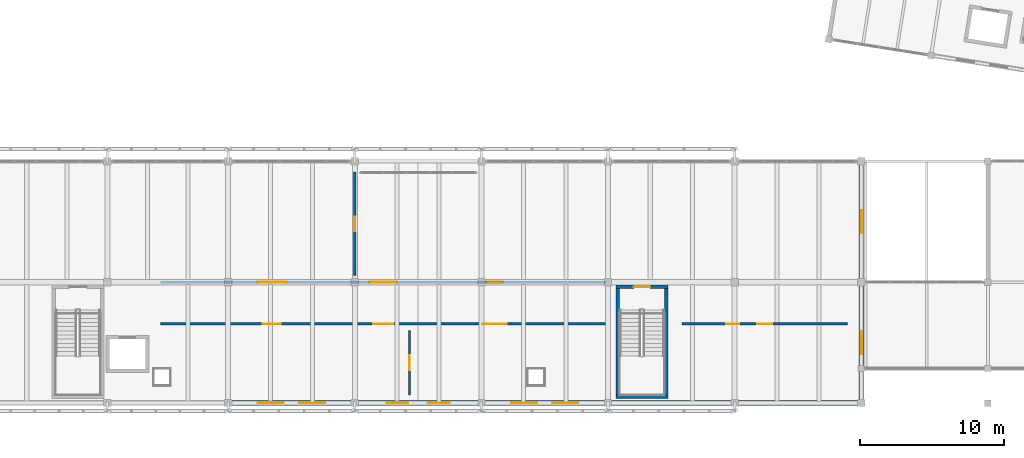
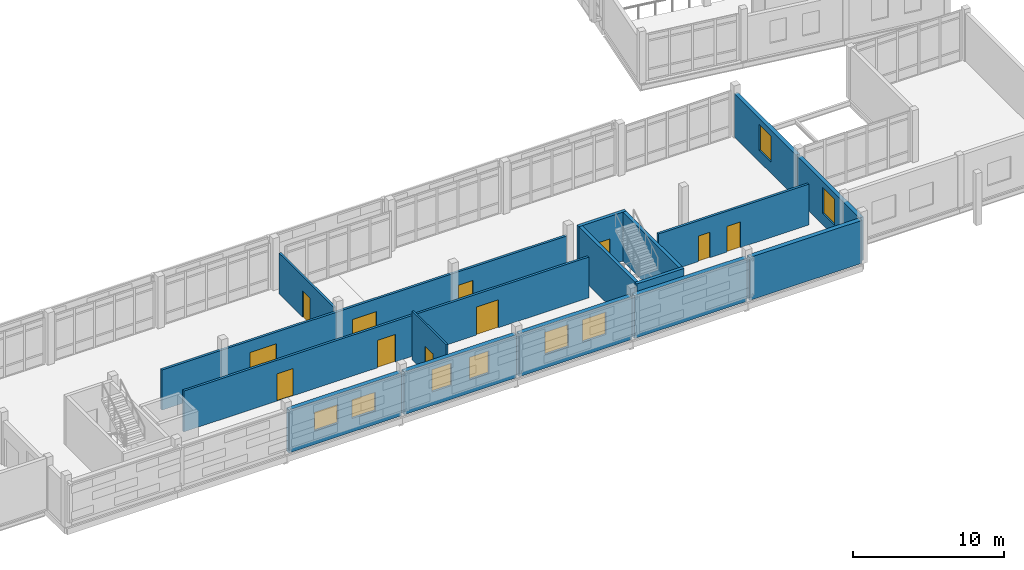
# One storey, part 107 of 137: 16 walls, 11 doors, 8 windows, 19 openings.
"""IFC4 building model written with IfcOpenShell, lengths in metres."""

from ifc_helpers import new_model, si_unit, direction, frame, frame_2d, origin, place, context, subcontext, project, spatial, rectangle, extrude, material, layer, layer_set, type_object, element, fill, save


model = new_model("IFC4")

# Units and contexts
model_context = context("Model", 3, precision=1e-05, world=origin(), true_north=direction((0.0, 1.0)))
body_context = subcontext(model_context, "Body", "Model", "MODEL_VIEW")
ifc_project = project(units=[si_unit("LENGTHUNIT", "METRE"), si_unit("AREAUNIT", "SQUARE_METRE"), si_unit("VOLUMEUNIT", "CUBIC_METRE"), si_unit("PLANEANGLEUNIT", "RADIAN"), si_unit("MASSUNIT", "GRAM", prefix="KILO")], contexts=[model_context])

# Site, building, storey
site_placement = place(None, origin())
site = spatial("IfcSite", under=ifc_project, at=site_placement, CompositionType="ELEMENT")
building_placement = place(site_placement, origin())
building = spatial("IfcBuilding", under=site, at=building_placement, Name="Cinderway Yard Community Centre", CompositionType="ELEMENT")
storey_placement = place(building_placement, frame((0.0, 0.0, 4.800048828125)))
storey = spatial("IfcBuildingStorey", under=building, at=storey_placement, Name="L01", CompositionType="ELEMENT", Elevation=4.800048828125)

# Wall, opening, window
ifc_material_1 = material(Name="Brick Masonry", Category="masonry")
ifc_layer_1 = layer(ifc_material_1, 0.300048828125, Name="Brick Masonry")
ifc_layer_set_1 = layer_set([ifc_layer_1], Name="Brick Masonry")
wall_type_1 = type_object("IfcWallType", Name="ENV-WAL-EXT300", PredefinedType="SOLIDWALL", material=ifc_layer_set_1)
wall_1_placement = place(storey_placement, frame((119.199951171875, 6.10009765625, 0.0), z_axis=(0.0, 0.0, 1.0), x_axis=(0.0, 1.0, 0.0)))
wall_1 = element("IfcWall", 1, at=wall_1_placement, inside=storey, type_object=wall_type_1, Name="V3 East End Wall ENV-WAL-L01-0115", PredefinedType="SOLIDWALL", context=body_context, shape_type="SweptSolid", body=[
    extrude(rectangle(XDim=8.199951171875, YDim=0.300048828125, at=frame_2d((4.10009765625, 0.0))), origin(), (0.0, 0.0, 1.0), 3.494873046875),
])
opening_1_placement = place(wall_1_placement, frame((3.300048828125, 0.0, 0.89990234375)))
opening_1 = element("IfcOpeningElement", 2, at=opening_1_placement, cuts=wall_1, Name="Opening W-14", PredefinedType="OPENING", context=body_context, shape_type="SweptSolid", body=[
    extrude(rectangle(XDim=1.60009765625, YDim=2.10009765625, at=frame_2d((0.800048828125, 1.050048828125))), frame((0.0, 0.159912109375, 0.0), z_axis=(0.0, -1.0, 0.0), x_axis=(1.0, 0.0, 0.0)), (0.0, 0.0, 1.0), 0.320068359375),
])
ifc_material_2 = material(Name="Laminated Low-E Glass", Category="glass")
window_type_1 = type_object("IfcWindowType", Name="ENV-WIN-W14", PartitioningType="DOUBLE_PANEL_VERTICAL", PredefinedType="WINDOW", material=ifc_material_2)
window_1_placement = place(opening_1_placement, origin())
window_1 = element("IfcWindow", 3, at=window_1_placement, inside=storey, type_object=window_type_1, Name="Exterior window ENV-WIN-L01-0079", OverallHeight=2.10009765625, OverallWidth=1.60009765625, PartitioningType="SINGLE_PANEL", PredefinedType="WINDOW", context=body_context, shape_type="SweptSolid", body=[
    extrude(rectangle(XDim=1.60009765625, YDim=2.10009765625, at=frame_2d((0.800048828125, 1.050048828125))), frame((0.0, 0.030029296875, 0.0), z_axis=(0.0, -1.0, 0.0), x_axis=(1.0, 0.0, 0.0)), (0.0, 0.0, 1.0), 0.06005859375),
])
fill(opening_1, window_1)

wall_2_placement = place(storey_placement, frame((119.199951171875, 14.5, 0.0), z_axis=(0.0, 0.0, 1.0), x_axis=(0.0, 1.0, 0.0)))
wall_2 = element("IfcWall", 4, at=wall_2_placement, inside=storey, type_object=wall_type_1, Name="V3 East End Wall ENV-WAL-L01-0116", PredefinedType="SOLIDWALL", context=body_context, shape_type="SweptSolid", body=[
    extrude(rectangle(XDim=8.199951171875, YDim=0.300048828125, at=frame_2d((4.10009765625, 0.0))), origin(), (0.0, 0.0, 1.0), 3.494873046875),
])
opening_2_placement = place(wall_2_placement, frame((3.300048828125, 0.0, 0.89990234375)))
opening_2 = element("IfcOpeningElement", 5, at=opening_2_placement, cuts=wall_2, Name="Opening W-14", PredefinedType="OPENING", context=body_context, shape_type="SweptSolid", body=[
    extrude(rectangle(XDim=1.60009765625, YDim=2.10009765625, at=frame_2d((0.800048828125, 1.050048828125))), frame((0.0, 0.159912109375, 0.0), z_axis=(0.0, -1.0, 0.0), x_axis=(1.0, 0.0, 0.0)), (0.0, 0.0, 1.0), 0.320068359375),
])
window_2_placement = place(opening_2_placement, origin())
window_2 = element("IfcWindow", 6, at=window_2_placement, inside=storey, type_object=window_type_1, Name="Exterior window ENV-WIN-L01-0080", OverallHeight=2.10009765625, OverallWidth=1.60009765625, PartitioningType="SINGLE_PANEL", PredefinedType="WINDOW", context=body_context, shape_type="SweptSolid", body=[
    extrude(rectangle(XDim=1.60009765625, YDim=2.10009765625, at=frame_2d((0.800048828125, 1.050048828125))), frame((0.0, 0.030029296875, 0.0), z_axis=(0.0, -1.0, 0.0), x_axis=(1.0, 0.0, 0.0)), (0.0, 0.0, 1.0), 0.06005859375),
])
fill(opening_2, window_2)

# Wall, openings, windows
ifc_layer_2 = layer(ifc_material_1, 0.340087890625, Name="Brick Masonry")
ifc_layer_set_2 = layer_set([ifc_layer_2], Name="Brick Masonry")
wall_type_2 = type_object("IfcWallType", Name="ENV-WAL-EXT340", PredefinedType="SOLIDWALL", material=ifc_layer_set_2)
wall_3_placement = place(storey_placement, frame((75.300048828125, 6.0, 0.0), z_axis=(0.0, 0.0, 1.0), x_axis=(1.0, 0.0, 0.0)))
wall_3 = element("IfcWall", 7, at=wall_3_placement, inside=storey, type_object=wall_type_2, Name="Dining South Brick Wall ENV-WAL-L01-0109", PredefinedType="SOLIDWALL", context=body_context, shape_type="SweptSolid", body=[
    extrude(rectangle(XDim=8.599853515625, YDim=0.340087890625, at=frame_2d((4.2998046875, 0.0))), origin(), (0.0, 0.0, 1.0), 3.46484375),
])
opening_3_placement = place(wall_3_placement, frame((1.967041015625, 0.0, 1.10009765625)))
opening_3 = element("IfcOpeningElement", 8, at=opening_3_placement, cuts=wall_3, Name="Opening W-03", PredefinedType="OPENING", context=body_context, shape_type="SweptSolid", body=[
    extrude(rectangle(XDim=1.800048828125, YDim=1.5, at=frame_2d((0.89990234375, 0.75))), frame((0.0, 0.179931640625, 0.0), z_axis=(0.0, -1.0, 0.0), x_axis=(1.0, 0.0, 0.0)), (0.0, 0.0, 1.0), 0.360107421875),
])
opening_4_placement = place(wall_3_placement, frame((4.8330078125, 0.0, 1.10009765625)))
opening_4 = element("IfcOpeningElement", 9, at=opening_4_placement, cuts=wall_3, Name="Opening W-03", PredefinedType="OPENING", context=body_context, shape_type="SweptSolid", body=[
    extrude(rectangle(XDim=1.800048828125, YDim=1.5, at=frame_2d((0.89990234375, 0.75))), frame((0.0, 0.179931640625, 0.0), z_axis=(0.0, -1.0, 0.0), x_axis=(1.0, 0.0, 0.0)), (0.0, 0.0, 1.0), 0.360107421875),
])
window_type_2 = type_object("IfcWindowType", Name="ENV-WIN-W03", PartitioningType="DOUBLE_PANEL_VERTICAL", PredefinedType="WINDOW", material=ifc_material_2)
window_3_placement = place(opening_3_placement, origin())
window_3 = element("IfcWindow", 10, at=window_3_placement, inside=storey, type_object=window_type_2, Name="Exterior window ENV-WIN-L01-0072", OverallHeight=1.5, OverallWidth=1.800048828125, PartitioningType="SINGLE_PANEL", PredefinedType="WINDOW", context=body_context, shape_type="SweptSolid", body=[
    extrude(rectangle(XDim=1.800048828125, YDim=1.5, at=frame_2d((0.89990234375, 0.75))), frame((0.0, 0.030029296875, 0.0), z_axis=(0.0, -1.0, 0.0), x_axis=(1.0, 0.0, 0.0)), (0.0, 0.0, 1.0), 0.06005859375),
])
fill(opening_3, window_3)
window_4_placement = place(opening_4_placement, origin())
window_4 = element("IfcWindow", 11, at=window_4_placement, inside=storey, type_object=window_type_2, Name="Exterior window ENV-WIN-L01-0073", OverallHeight=1.5, OverallWidth=1.800048828125, PartitioningType="SINGLE_PANEL", PredefinedType="WINDOW", context=body_context, shape_type="SweptSolid", body=[
    extrude(rectangle(XDim=1.800048828125, YDim=1.5, at=frame_2d((0.89990234375, 0.75))), frame((0.0, 0.030029296875, 0.0), z_axis=(0.0, -1.0, 0.0), x_axis=(1.0, 0.0, 0.0)), (0.0, 0.0, 1.0), 0.06005859375),
])
fill(opening_4, window_4)

wall_4_placement = place(storey_placement, frame((84.10009765625, 6.0, 0.0), z_axis=(0.0, 0.0, 1.0), x_axis=(1.0, 0.0, 0.0)))
wall_4 = element("IfcWall", 12, at=wall_4_placement, inside=storey, type_object=wall_type_2, Name="Dining South Brick Wall ENV-WAL-L01-0110", PredefinedType="SOLIDWALL", context=body_context, shape_type="SweptSolid", body=[
    extrude(rectangle(XDim=8.599853515625, YDim=0.340087890625, at=frame_2d((4.2998046875, 0.0))), origin(), (0.0, 0.0, 1.0), 3.46484375),
])
opening_5_placement = place(wall_4_placement, frame((2.116943359375, 0.0, 1.10009765625)))
opening_5 = element("IfcOpeningElement", 13, at=opening_5_placement, cuts=wall_4, Name="Opening W-07", PredefinedType="OPENING", context=body_context, shape_type="SweptSolid", body=[
    extrude(rectangle(XDim=1.5, YDim=1.800048828125, at=frame_2d((0.75, 0.89990234375))), frame((0.0, 0.179931640625, 0.0), z_axis=(0.0, -1.0, 0.0), x_axis=(1.0, 0.0, 0.0)), (0.0, 0.0, 1.0), 0.360107421875),
])
opening_6_placement = place(wall_4_placement, frame((4.98291015625, 0.0, 1.10009765625)))
opening_6 = element("IfcOpeningElement", 14, at=opening_6_placement, cuts=wall_4, Name="Opening W-07", PredefinedType="OPENING", context=body_context, shape_type="SweptSolid", body=[
    extrude(rectangle(XDim=1.5, YDim=1.800048828125, at=frame_2d((0.75, 0.89990234375))), frame((0.0, 0.179931640625, 0.0), z_axis=(0.0, -1.0, 0.0), x_axis=(1.0, 0.0, 0.0)), (0.0, 0.0, 1.0), 0.360107421875),
])
window_type_3 = type_object("IfcWindowType", Name="ENV-WIN-W07", PartitioningType="DOUBLE_PANEL_VERTICAL", PredefinedType="WINDOW", material=ifc_material_2)
window_5_placement = place(opening_5_placement, origin())
window_5 = element("IfcWindow", 15, at=window_5_placement, inside=storey, type_object=window_type_3, Name="Exterior window ENV-WIN-L01-0074", OverallHeight=1.800048828125, OverallWidth=1.5, PartitioningType="SINGLE_PANEL", PredefinedType="WINDOW", context=body_context, shape_type="SweptSolid", body=[
    extrude(rectangle(XDim=1.5, YDim=1.800048828125, at=frame_2d((0.75, 0.89990234375))), frame((0.0, 0.030029296875, 0.0), z_axis=(0.0, -1.0, 0.0), x_axis=(1.0, 0.0, 0.0)), (0.0, 0.0, 1.0), 0.06005859375),
])
fill(opening_5, window_5)
window_6_placement = place(opening_6_placement, origin())
window_6 = element("IfcWindow", 16, at=window_6_placement, inside=storey, type_object=window_type_3, Name="Exterior window ENV-WIN-L01-0075", OverallHeight=1.800048828125, OverallWidth=1.5, PartitioningType="SINGLE_PANEL", PredefinedType="WINDOW", context=body_context, shape_type="SweptSolid", body=[
    extrude(rectangle(XDim=1.5, YDim=1.800048828125, at=frame_2d((0.75, 0.89990234375))), frame((0.0, 0.030029296875, 0.0), z_axis=(0.0, -1.0, 0.0), x_axis=(1.0, 0.0, 0.0)), (0.0, 0.0, 1.0), 0.06005859375),
])
fill(opening_6, window_6)

wall_5_placement = place(storey_placement, frame((92.89990234375, 6.0, 0.0), z_axis=(0.0, 0.0, 1.0), x_axis=(1.0, 0.0, 0.0)))
wall_5 = element("IfcWall", 17, at=wall_5_placement, inside=storey, type_object=wall_type_2, Name="Dining South Brick Wall ENV-WAL-L01-0111", PredefinedType="SOLIDWALL", context=body_context, shape_type="SweptSolid", body=[
    extrude(rectangle(XDim=8.60009765625, YDim=0.340087890625, at=frame_2d((4.300048828125, 0.0))), origin(), (0.0, 0.0, 1.0), 3.46484375),
])
opening_7_placement = place(wall_5_placement, frame((1.967041015625, 0.0, 1.10009765625)))
opening_7 = element("IfcOpeningElement", 18, at=opening_7_placement, cuts=wall_5, Name="Opening W-08", PredefinedType="OPENING", context=body_context, shape_type="SweptSolid", body=[
    extrude(rectangle(XDim=1.800048828125, YDim=1.800048828125, at=frame_2d((0.89990234375, 0.89990234375))), frame((0.0, 0.179931640625, 0.0), z_axis=(0.0, -1.0, 0.0), x_axis=(1.0, 0.0, 0.0)), (0.0, 0.0, 1.0), 0.360107421875),
])
opening_8_placement = place(wall_5_placement, frame((4.8330078125, 0.0, 1.10009765625)))
opening_8 = element("IfcOpeningElement", 19, at=opening_8_placement, cuts=wall_5, Name="Opening W-08", PredefinedType="OPENING", context=body_context, shape_type="SweptSolid", body=[
    extrude(rectangle(XDim=1.800048828125, YDim=1.800048828125, at=frame_2d((0.89990234375, 0.89990234375))), frame((0.0, 0.179931640625, 0.0), z_axis=(0.0, -1.0, 0.0), x_axis=(1.0, 0.0, 0.0)), (0.0, 0.0, 1.0), 0.360107421875),
])
window_type_4 = type_object("IfcWindowType", Name="ENV-WIN-W08", PartitioningType="DOUBLE_PANEL_VERTICAL", PredefinedType="WINDOW", material=ifc_material_2)
window_7_placement = place(opening_7_placement, origin())
window_7 = element("IfcWindow", 20, at=window_7_placement, inside=storey, type_object=window_type_4, Name="Exterior window ENV-WIN-L01-0076", OverallHeight=1.800048828125, OverallWidth=1.800048828125, PartitioningType="SINGLE_PANEL", PredefinedType="WINDOW", context=body_context, shape_type="SweptSolid", body=[
    extrude(rectangle(XDim=1.800048828125, YDim=1.800048828125, at=frame_2d((0.89990234375, 0.89990234375))), frame((0.0, 0.030029296875, 0.0), z_axis=(0.0, -1.0, 0.0), x_axis=(1.0, 0.0, 0.0)), (0.0, 0.0, 1.0), 0.06005859375),
])
fill(opening_7, window_7)
window_8_placement = place(opening_8_placement, origin())
window_8 = element("IfcWindow", 21, at=window_8_placement, inside=storey, type_object=window_type_4, Name="Exterior window ENV-WIN-L01-0077", OverallHeight=1.800048828125, OverallWidth=1.800048828125, PartitioningType="SINGLE_PANEL", PredefinedType="WINDOW", context=body_context, shape_type="SweptSolid", body=[
    extrude(rectangle(XDim=1.800048828125, YDim=1.800048828125, at=frame_2d((0.89990234375, 0.89990234375))), frame((0.0, 0.030029296875, 0.0), z_axis=(0.0, -1.0, 0.0), x_axis=(1.0, 0.0, 0.0)), (0.0, 0.0, 1.0), 0.06005859375),
])
fill(opening_8, window_8)

# Walls
for number, where, z_axis, x_axis, name in (
    (22, (101.699951171875, 6.0, 0.0), (0.0, 0.0, 1.0), (1.0, 0.0, 0.0), "Dining South Brick Wall ENV-WAL-L01-0112"),
    (23, (110.5, 6.0, 0.0), (0.0, 0.0, 1.0), (1.0, 0.0, 0.0), "Dining South Brick Wall ENV-WAL-L01-0113"),
):
    element("IfcWall", number, at=place(storey_placement, frame(where, z_axis=z_axis, x_axis=x_axis)), inside=storey, type_object=wall_type_2, Name=name, PredefinedType="SOLIDWALL", context=body_context, shape_type="SweptSolid", body=[
        extrude(rectangle(XDim=8.60009765625, YDim=0.340087890625, at=frame_2d((4.300048828125, 0.0))), origin(), (0.0, 0.0, 1.0), 3.46484375),
    ])

# Wall, opening, door
ifc_material_3 = material(Name="Gypsum Board Partition", Category="gypsum")
ifc_layer_3 = layer(ifc_material_3, 0.139892578125, Name="Gypsum Board Partition")
ifc_layer_set_3 = layer_set([ifc_layer_3], Name="Gypsum Board Partition")
wall_type_3 = type_object("IfcWallType", Name="INT-WAL-PRT140", PredefinedType="PARTITIONING", material=ifc_layer_set_3)
wall_6_placement = place(storey_placement, frame((87.800048828125, 6.550048828125, 0.0), z_axis=(0.0, 0.0, 1.0), x_axis=(0.0, 1.0, 0.0)))
wall_6 = element("IfcWall", 24, at=wall_6_placement, inside=storey, type_object=wall_type_3, Name="V3 South Room Divider INT-PRT-L01-0270", PredefinedType="PARTITIONING", context=body_context, shape_type="SweptSolid", body=[
    extrude(rectangle(XDim=4.5, YDim=0.139892578125, at=frame_2d((2.25, 0.0))), origin(), (0.0, 0.0, 1.0), 3.945068359375),
])
opening_9_placement = place(wall_6_placement, frame((1.719970703125, 0.0, 0.0)))
opening_9 = element("IfcOpeningElement", 25, at=opening_9_placement, cuts=wall_6, Name="Opening D-04", PredefinedType="OPENING", context=body_context, shape_type="SweptSolid", body=[
    extrude(rectangle(XDim=1.06005859375, YDim=2.159912109375, at=frame_2d((0.530029296875, 1.080078125))), frame((0.0, 0.079833984375, 0.0), z_axis=(0.0, -1.0, 0.0), x_axis=(1.0, 0.0, 0.0)), (0.0, 0.0, 1.0), 0.159912109375),
])
ifc_material_4 = material(Name="Hardwood Timber", Category="wood")
door_type_1 = type_object("IfcDoorType", Name="INT-DOR-CLS106", OperationType="NOTDEFINED", PredefinedType="DOOR", material=ifc_material_4)
door_1_placement = place(opening_9_placement, origin())
door_1 = element("IfcDoor", 26, at=door_1_placement, inside=storey, type_object=door_type_1, Name="Room door INT-DOR-L01-0167", OperationType="SINGLE_SWING_RIGHT", OverallHeight=2.159912109375, OverallWidth=1.06005859375, PredefinedType="DOOR", context=body_context, shape_type="SweptSolid", body=[
    extrude(rectangle(XDim=1.06005859375, YDim=2.159912109375, at=frame_2d((0.530029296875, 1.080078125))), frame((0.0, 0.02490234375, 0.0), z_axis=(0.0, -1.0, 0.0), x_axis=(1.0, 0.0, 0.0)), (0.0, 0.0, 1.0), 0.050048828125),
])
fill(opening_9, door_1)

ifc_layer_4 = layer(ifc_material_3, 0.159912109375, Name="Gypsum Board Partition")
ifc_layer_set_4 = layer_set([ifc_layer_4], Name="Gypsum Board Partition")
wall_type_4 = type_object("IfcWallType", Name="INT-WAL-PRT160", PredefinedType="PARTITIONING", material=ifc_layer_set_4)
wall_7_placement = place(storey_placement, frame((84.0, 14.85009765625, 0.0), z_axis=(0.0, 0.0, 1.0), x_axis=(0.0, 1.0, 0.0)))
wall_7 = element("IfcWall", 27, at=wall_7_placement, inside=storey, type_object=wall_type_4, Name="V3 North Room Divider INT-PRT-L01-0271", PredefinedType="PARTITIONING", context=body_context, shape_type="SweptSolid", body=[
    extrude(rectangle(XDim=7.199951171875, YDim=0.159912109375, at=frame_2d((3.60009765625, 0.0))), origin(), (0.0, 0.0, 1.0), 3.294921875),
])
opening_10_placement = place(wall_7_placement, frame((3.10009765625, 0.0, 0.0)))
opening_10 = element("IfcOpeningElement", 28, at=opening_10_placement, cuts=wall_7, Name="Opening D-05", PredefinedType="OPENING", context=body_context, shape_type="SweptSolid", body=[
    extrude(rectangle(XDim=1.0, YDim=2.139892578125, at=frame_2d((0.5, 1.06982421875))), frame((0.0, 0.08984375, 0.0), z_axis=(0.0, -1.0, 0.0), x_axis=(1.0, 0.0, 0.0)), (0.0, 0.0, 1.0), 0.179931640625),
])
door_type_2 = type_object("IfcDoorType", Name="INT-DOR-CLS100", OperationType="NOTDEFINED", PredefinedType="DOOR", material=ifc_material_4)
door_2_placement = place(opening_10_placement, origin())
door_2 = element("IfcDoor", 29, at=door_2_placement, inside=storey, type_object=door_type_2, Name="Room door INT-DOR-L01-0168", OperationType="SINGLE_SWING_LEFT", OverallHeight=2.139892578125, OverallWidth=1.0, PredefinedType="DOOR", context=body_context, shape_type="SweptSolid", body=[
    extrude(rectangle(XDim=1.0, YDim=2.139892578125, at=frame_2d((0.5, 1.06982421875))), frame((0.0, 0.02490234375, 0.0), z_axis=(0.0, -1.0, 0.0), x_axis=(1.0, 0.0, 0.0)), (0.0, 0.0, 1.0), 0.050048828125),
])
fill(opening_10, door_2)

# Wall, openings, doors
ifc_layer_5 = layer(ifc_material_1, 0.179931640625, Name="Brick Masonry")
ifc_layer_set_5 = layer_set([ifc_layer_5], Name="Brick Masonry")
wall_type_5 = type_object("IfcWallType", Name="INT-WAL-PRT180", PredefinedType="PARTITIONING", material=ifc_layer_set_5)
wall_8_placement = place(storey_placement, frame((70.5, 11.5, 0.0), z_axis=(0.0, 0.0, 1.0), x_axis=(1.0, 0.0, 0.0)))
wall_8 = element("IfcWall", 30, at=wall_8_placement, inside=storey, type_object=wall_type_5, Name="V3 South Corridor Wall INT-PRT-L01-0267", PredefinedType="PARTITIONING", context=body_context, shape_type="SweptSolid", body=[
    extrude(rectangle(XDim=30.949951171875, YDim=0.179931640625, at=frame_2d((15.47509765625, 0.0))), origin(), (0.0, 0.0, 1.0), 3.294921875),
])
opening_11_placement = place(wall_8_placement, frame((7.116943359375, 0.0, 0.0)))
opening_11 = element("IfcOpeningElement", 31, at=opening_11_placement, cuts=wall_8, Name="Opening D-14", PredefinedType="OPENING", context=body_context, shape_type="SweptSolid", body=[
    extrude(rectangle(XDim=1.239990234375, YDim=2.199951171875, at=frame_2d((0.6201171875, 1.10009765625))), frame((0.0, 0.099853515625, 0.0), z_axis=(0.0, -1.0, 0.0), x_axis=(1.0, 0.0, 0.0)), (0.0, 0.0, 1.0), 0.199951171875),
])
opening_12_placement = place(wall_8_placement, frame((14.794921875, 0.0, 0.0)))
opening_12 = element("IfcOpeningElement", 32, at=opening_12_placement, cuts=wall_8, Name="Opening D-15", PredefinedType="OPENING", context=body_context, shape_type="SweptSolid", body=[
    extrude(rectangle(XDim=1.360107421875, YDim=2.219970703125, at=frame_2d((0.68017578125, 1.10986328125))), frame((0.0, 0.099853515625, 0.0), z_axis=(0.0, -1.0, 0.0), x_axis=(1.0, 0.0, 0.0)), (0.0, 0.0, 1.0), 0.199951171875),
])
opening_13_placement = place(wall_8_placement, frame((22.373046875, 0.0, 0.0)))
opening_13 = element("IfcOpeningElement", 33, at=opening_13_placement, cuts=wall_8, Name="Opening D-16", PredefinedType="OPENING", context=body_context, shape_type="SweptSolid", body=[
    extrude(rectangle(XDim=1.679931640625, YDim=2.260009765625, at=frame_2d((0.83984375, 1.1298828125))), frame((0.0, 0.099853515625, 0.0), z_axis=(0.0, -1.0, 0.0), x_axis=(1.0, 0.0, 0.0)), (0.0, 0.0, 1.0), 0.199951171875),
])
door_type_3 = type_object("IfcDoorType", Name="INT-DOR-LIB168", OperationType="DOUBLE_DOOR_SINGLE_SWING", PredefinedType="DOOR", material=ifc_material_4)
door_3_placement = place(opening_13_placement, origin())
door_3 = element("IfcDoor", 34, at=door_3_placement, inside=storey, type_object=door_type_3, Name="Room door INT-DOR-L01-0162", OperationType="DOUBLE_DOOR_SINGLE_SWING", OverallHeight=2.260009765625, OverallWidth=1.679931640625, PredefinedType="DOOR", context=body_context, shape_type="SweptSolid", body=[
    extrude(rectangle(XDim=1.679931640625, YDim=2.260009765625, at=frame_2d((0.83984375, 1.1298828125))), frame((0.0, 0.02490234375, 0.0), z_axis=(0.0, -1.0, 0.0), x_axis=(1.0, 0.0, 0.0)), (0.0, 0.0, 1.0), 0.050048828125),
])
fill(opening_13, door_3)
door_type_4 = type_object("IfcDoorType", Name="INT-DOR-STU124", OperationType="NOTDEFINED", PredefinedType="DOOR", material=ifc_material_4)
door_4_placement = place(opening_11_placement, origin())
door_4 = element("IfcDoor", 35, at=door_4_placement, inside=storey, type_object=door_type_4, Name="Room door INT-DOR-L01-0160", OperationType="SINGLE_SWING_LEFT", OverallHeight=2.199951171875, OverallWidth=1.239990234375, PredefinedType="DOOR", context=body_context, shape_type="SweptSolid", body=[
    extrude(rectangle(XDim=1.239990234375, YDim=2.199951171875, at=frame_2d((0.6201171875, 1.10009765625))), frame((0.0, 0.02490234375, 0.0), z_axis=(0.0, -1.0, 0.0), x_axis=(1.0, 0.0, 0.0)), (0.0, 0.0, 1.0), 0.050048828125),
])
fill(opening_11, door_4)
door_type_5 = type_object("IfcDoorType", Name="INT-DOR-STU136", OperationType="DOUBLE_DOOR_SINGLE_SWING", PredefinedType="DOOR", material=ifc_material_4)
door_5_placement = place(opening_12_placement, origin())
door_5 = element("IfcDoor", 36, at=door_5_placement, inside=storey, type_object=door_type_5, Name="Room door INT-DOR-L01-0161", OperationType="DOUBLE_DOOR_SINGLE_SWING", OverallHeight=2.219970703125, OverallWidth=1.360107421875, PredefinedType="DOOR", context=body_context, shape_type="SweptSolid", body=[
    extrude(rectangle(XDim=1.360107421875, YDim=2.219970703125, at=frame_2d((0.68017578125, 1.10986328125))), frame((0.0, 0.02490234375, 0.0), z_axis=(0.0, -1.0, 0.0), x_axis=(1.0, 0.0, 0.0)), (0.0, 0.0, 1.0), 0.050048828125),
])
fill(opening_12, door_5)

wall_9_placement = place(storey_placement, frame((106.75, 11.5, 0.0), z_axis=(0.0, 0.0, 1.0), x_axis=(1.0, 0.0, 0.0)))
wall_9 = element("IfcWall", 37, at=wall_9_placement, inside=storey, type_object=wall_type_5, Name="V3 East Servery Corridor Wall INT-PRT-L01-0268", PredefinedType="PARTITIONING", context=body_context, shape_type="SweptSolid", body=[
    extrude(rectangle(XDim=11.5, YDim=0.179931640625, at=frame_2d((5.75, 0.0))), origin(), (0.0, 0.0, 1.0), 3.294921875),
])
opening_14_placement = place(wall_9_placement, frame((5.22998046875, 0.0, 0.0)))
opening_14 = element("IfcOpeningElement", 38, at=opening_14_placement, cuts=wall_9, Name="Opening D-17", PredefinedType="OPENING", context=body_context, shape_type="SweptSolid", body=[
    extrude(rectangle(XDim=1.0400390625, YDim=2.080078125, at=frame_2d((0.52001953125, 1.0400390625))), frame((0.0, 0.099853515625, 0.0), z_axis=(0.0, -1.0, 0.0), x_axis=(1.0, 0.0, 0.0)), (0.0, 0.0, 1.0), 0.199951171875),
])
opening_15_placement = place(wall_9_placement, frame((3.05810546875, 0.0, 0.0)))
opening_15 = element("IfcOpeningElement", 39, at=opening_15_placement, cuts=wall_9, Name="Opening D-10", PredefinedType="OPENING", context=body_context, shape_type="SweptSolid", body=[
    extrude(rectangle(XDim=0.89990234375, YDim=2.06005859375, at=frame_2d((0.449951171875, 1.030029296875))), frame((0.0, 0.099853515625, 0.0), z_axis=(0.0, -1.0, 0.0), x_axis=(1.0, 0.0, 0.0)), (0.0, 0.0, 1.0), 0.199951171875),
])
door_type_6 = type_object("IfcDoorType", Name="INT-DOR-NUR104", OperationType="NOTDEFINED", PredefinedType="DOOR", material=ifc_material_4)
door_6_placement = place(opening_14_placement, origin())
door_6 = element("IfcDoor", 40, at=door_6_placement, inside=storey, type_object=door_type_6, Name="Room door INT-DOR-L01-0163", OperationType="SINGLE_SWING_RIGHT", OverallHeight=2.080078125, OverallWidth=1.0400390625, PredefinedType="DOOR", context=body_context, shape_type="SweptSolid", body=[
    extrude(rectangle(XDim=1.0400390625, YDim=2.080078125, at=frame_2d((0.52001953125, 1.0400390625))), frame((0.0, 0.02490234375, 0.0), z_axis=(0.0, -1.0, 0.0), x_axis=(1.0, 0.0, 0.0)), (0.0, 0.0, 1.0), 0.050048828125),
])
fill(opening_14, door_6)
door_type_7 = type_object("IfcDoorType", Name="INT-DOR-SAN090", OperationType="NOTDEFINED", PredefinedType="DOOR", material=ifc_material_4)
door_7_placement = place(opening_15_placement, origin())
door_7 = element("IfcDoor", 41, at=door_7_placement, inside=storey, type_object=door_type_7, Name="Cafe Servery Store Door INT-DOR-L01-0296", OperationType="SINGLE_SWING_RIGHT", OverallHeight=2.06005859375, OverallWidth=0.89990234375, PredefinedType="DOOR", context=body_context, shape_type="SweptSolid", body=[
    extrude(rectangle(XDim=0.89990234375, YDim=2.06005859375, at=frame_2d((0.449951171875, 1.030029296875))), frame((0.0, 0.02490234375, 0.0), z_axis=(0.0, -1.0, 0.0), x_axis=(1.0, 0.0, 0.0)), (0.0, 0.0, 1.0), 0.050048828125),
])
fill(opening_15, door_7)

wall_10_placement = place(storey_placement, frame((70.5, 14.39990234375, 0.0), z_axis=(0.0, 0.0, 1.0), x_axis=(1.0, 0.0, 0.0)))
wall_10 = element("IfcWall", 42, at=wall_10_placement, inside=storey, type_object=wall_type_5, Name="V3 North Corridor Wall INT-PRT-L01-0269", PredefinedType="PARTITIONING", context=body_context, shape_type="SweptSolid", body=[
    extrude(rectangle(XDim=30.949951171875, YDim=0.179931640625, at=frame_2d((15.47509765625, 0.0))), origin(), (0.0, 0.0, 1.0), 3.244873046875),
])
opening_16_placement = place(wall_10_placement, frame((6.737060546875, 0.0, 0.0)))
opening_16 = element("IfcOpeningElement", 43, at=opening_16_placement, cuts=wall_10, Name="Opening D-01", PredefinedType="OPENING", context=body_context, shape_type="SweptSolid", body=[
    extrude(rectangle(XDim=2.0, YDim=2.300048828125, at=frame_2d((1.0, 1.14990234375))), frame((0.0, 0.099853515625, 0.0), z_axis=(0.0, -1.0, 0.0), x_axis=(1.0, 0.0, 0.0)), (0.0, 0.0, 1.0), 0.199951171875),
])
opening_17_placement = place(wall_10_placement, frame((14.550048828125, 0.0, 0.0)))
opening_17 = element("IfcOpeningElement", 44, at=opening_17_placement, cuts=wall_10, Name="Opening D-02", PredefinedType="OPENING", context=body_context, shape_type="SweptSolid", body=[
    extrude(rectangle(XDim=1.85009765625, YDim=2.219970703125, at=frame_2d((0.925048828125, 1.10986328125))), frame((0.0, 0.099853515625, 0.0), z_axis=(0.0, -1.0, 0.0), x_axis=(1.0, 0.0, 0.0)), (0.0, 0.0, 1.0), 0.199951171875),
])
opening_18_placement = place(wall_10_placement, frame((22.653076171875, 0.0, 0.0)))
opening_18 = element("IfcOpeningElement", 45, at=opening_18_placement, cuts=wall_10, Name="Opening D-03", PredefinedType="OPENING", context=body_context, shape_type="SweptSolid", body=[
    extrude(rectangle(XDim=1.1201171875, YDim=2.159912109375, at=frame_2d((0.56005859375, 1.080078125))), frame((0.0, 0.099853515625, 0.0), z_axis=(0.0, -1.0, 0.0), x_axis=(1.0, 0.0, 0.0)), (0.0, 0.0, 1.0), 0.199951171875),
])
door_type_8 = type_object("IfcDoorType", Name="INT-DOR-CLS112", OperationType="NOTDEFINED", PredefinedType="DOOR", material=ifc_material_4)
door_8_placement = place(opening_18_placement, origin())
door_8 = element("IfcDoor", 46, at=door_8_placement, inside=storey, type_object=door_type_8, Name="Room door INT-DOR-L01-0166", OperationType="SINGLE_SWING_LEFT", OverallHeight=2.159912109375, OverallWidth=1.1201171875, PredefinedType="DOOR", context=body_context, shape_type="SweptSolid", body=[
    extrude(rectangle(XDim=1.1201171875, YDim=2.159912109375, at=frame_2d((0.56005859375, 1.080078125))), frame((0.0, 0.02490234375, 0.0), z_axis=(0.0, -1.0, 0.0), x_axis=(1.0, 0.0, 0.0)), (0.0, 0.0, 1.0), 0.050048828125),
])
fill(opening_18, door_8)
door_type_9 = type_object("IfcDoorType", Name="INT-DOR-HAL185", OperationType="DOUBLE_DOOR_SINGLE_SWING", PredefinedType="DOOR", material=ifc_material_4)
door_9_placement = place(opening_17_placement, origin())
door_9 = element("IfcDoor", 47, at=door_9_placement, inside=storey, type_object=door_type_9, Name="Room door INT-DOR-L01-0165", OperationType="DOUBLE_DOOR_SINGLE_SWING", OverallHeight=2.219970703125, OverallWidth=1.85009765625, PredefinedType="DOOR", context=body_context, shape_type="SweptSolid", body=[
    extrude(rectangle(XDim=1.85009765625, YDim=2.219970703125, at=frame_2d((0.925048828125, 1.10986328125))), frame((0.0, 0.02490234375, 0.0), z_axis=(0.0, -1.0, 0.0), x_axis=(1.0, 0.0, 0.0)), (0.0, 0.0, 1.0), 0.050048828125),
])
fill(opening_17, door_9)
door_type_10 = type_object("IfcDoorType", Name="INT-DOR-HAL200", OperationType="DOUBLE_DOOR_SINGLE_SWING", PredefinedType="DOOR", material=ifc_material_4)
door_10_placement = place(opening_16_placement, origin())
door_10 = element("IfcDoor", 48, at=door_10_placement, inside=storey, type_object=door_type_10, Name="Room door INT-DOR-L01-0164", OperationType="DOUBLE_DOOR_SINGLE_SWING", OverallHeight=2.300048828125, OverallWidth=2.0, PredefinedType="DOOR", context=body_context, shape_type="SweptSolid", body=[
    extrude(rectangle(XDim=2.0, YDim=2.300048828125, at=frame_2d((1.0, 1.14990234375))), frame((0.0, 0.02490234375, 0.0), z_axis=(0.0, -1.0, 0.0), x_axis=(1.0, 0.0, 0.0)), (0.0, 0.0, 1.0), 0.050048828125),
])
fill(opening_16, door_10)

# Wall, opening, door
ifc_material_5 = material(Name="Concrete C40/50", Category="concrete")
ifc_layer_6 = layer(ifc_material_5, 0.25, Name="Concrete C40/50")
ifc_layer_set_6 = layer_set([ifc_layer_6], Name="Concrete C40/50")
wall_type_6 = type_object("IfcWallType", Name="INT-WAL-SHR250", PredefinedType="SHEAR", material=ifc_layer_set_6)
wall_11_placement = place(storey_placement, frame((102.155029296875, 14.070068359375, 0.0), z_axis=(0.0, 0.0, 1.0), x_axis=(1.0, 0.0, 0.0)))
wall_11 = element("IfcWall", 49, at=wall_11_placement, inside=storey, type_object=wall_type_6, Name="Stair ST-10 Entry Wall INT-WAL-L01-0225", PredefinedType="SHEAR", context=body_context, shape_type="SweptSolid", body=[
    extrude(rectangle(XDim=3.60986328125, YDim=0.25, at=frame_2d((1.804931640625, 0.0))), origin(), (0.0, 0.0, 1.0), 3.9599609375),
])
opening_19_placement = place(wall_11_placement, frame((1.235107421875, 0.0, 0.0)))
opening_19 = element("IfcOpeningElement", 50, at=opening_19_placement, cuts=wall_11, Name="Opening D-ST2", PredefinedType="OPENING", context=body_context, shape_type="SweptSolid", body=[
    extrude(rectangle(XDim=1.139892578125, YDim=2.14990234375, at=frame_2d((0.56982421875, 1.074951171875))), frame((0.0, 0.135009765625, 0.0), z_axis=(0.0, -1.0, 0.0), x_axis=(1.0, 0.0, 0.0)), (0.0, 0.0, 1.0), 0.27001953125),
])
ifc_material_6 = material(Name="Painted Galvanised Steel", Category="steel")
door_type_11 = type_object("IfcDoorType", Name="INT-DOR-ST114", OperationType="NOTDEFINED", PredefinedType="DOOR", material=ifc_material_6)
door_11_placement = place(opening_19_placement, origin())
door_11 = element("IfcDoor", 51, at=door_11_placement, inside=storey, type_object=door_type_11, Name="Core door INT-DOR-L01-0060", OperationType="SINGLE_SWING_LEFT", OverallHeight=2.14990234375, OverallWidth=1.139892578125, PredefinedType="DOOR", context=body_context, shape_type="SweptSolid", body=[
    extrude(rectangle(XDim=1.139892578125, YDim=2.14990234375, at=frame_2d((0.56982421875, 1.074951171875))), frame((0.0, 0.02490234375, 0.0), z_axis=(0.0, -1.0, 0.0), x_axis=(1.0, 0.0, 0.0)), (0.0, 0.0, 1.0), 0.050048828125),
])
fill(opening_19, door_11)

# Walls
wall_12_placement = place(storey_placement, frame((105.764892578125, 6.429931640625, 0.0), z_axis=(0.0, 0.0, 1.0), x_axis=(-1.0, 0.0, 0.0)))
element("IfcWall", 52, at=wall_12_placement, inside=storey, type_object=wall_type_6, Name="Stair ST-10 Back Wall INT-WAL-L01-0226", PredefinedType="SHEAR", context=body_context, shape_type="SweptSolid", body=[
    extrude(rectangle(XDim=3.60986328125, YDim=0.25, at=frame_2d((1.804931640625, 0.0))), origin(), (0.0, 0.0, 1.0), 3.9599609375),
])
for number, where, z_axis, x_axis, name in (
    (53, (105.639892578125, 13.945068359375, 0.0), (0.0, 0.0, 1.0), (0.0, -1.0, 0.0), "Stair ST-10 Side Wall L INT-WAL-L01-0227"),
    (54, (102.280029296875, 6.554931640625, 0.0), (0.0, 0.0, 1.0), (0.0, 1.0, 0.0), "Stair ST-10 Side Wall R INT-WAL-L01-0228"),
):
    element("IfcWall", number, at=place(storey_placement, frame(where, z_axis=z_axis, x_axis=x_axis)), inside=storey, type_object=wall_type_6, Name=name, PredefinedType="SHEAR", context=body_context, shape_type="SweptSolid", body=[
        extrude(rectangle(XDim=7.39013671875, YDim=0.25, at=frame_2d((3.695068359375, 0.0))), origin(), (0.0, 0.0, 1.0), 3.9599609375),
    ])

save(model, "model.ifc")
